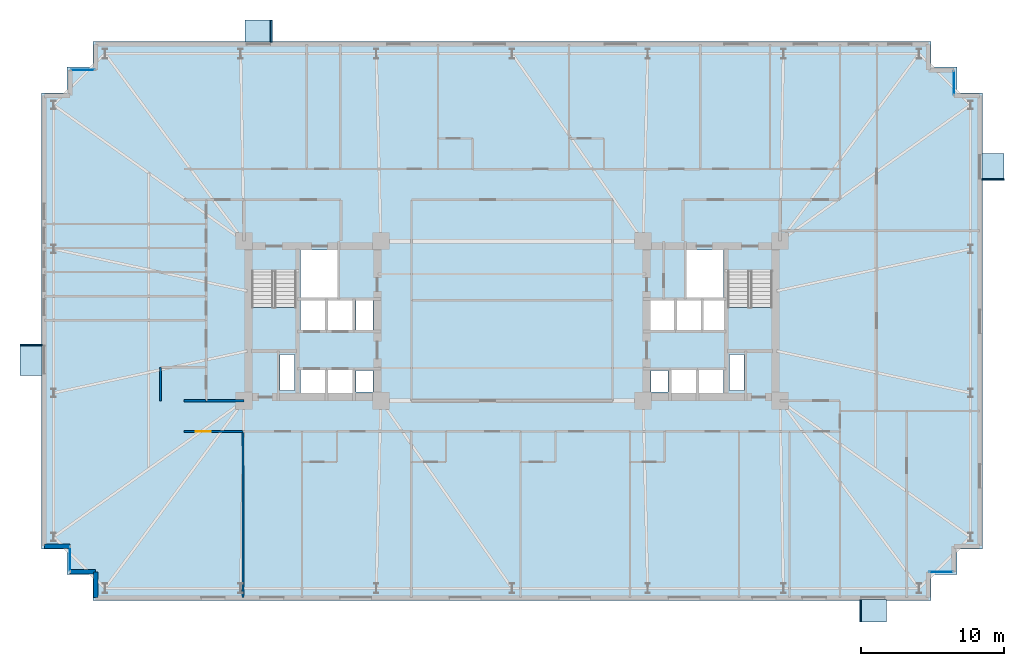
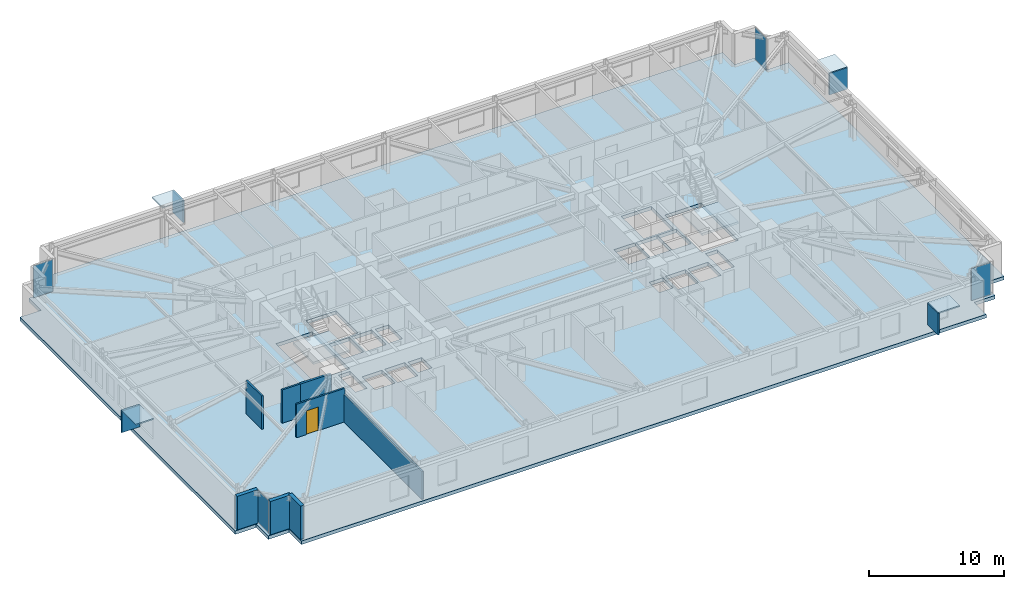
# One storey, part 13 of 21: 12 plates, 8 walls, 3 slabs, 1 door, 1 opening, 6 elements without a shape of their own.
"""IFC4 building model written with IfcOpenShell, lengths in metres."""

from ifc_helpers import new_model, si_unit, direction, frame, frame_2d, origin, origin_2d, place, context, subcontext, project, spatial, polyline, rectangle, outline, extrude, material, layer, layer_set, type_object, element, fill, aggregate, save


model = new_model("IFC4")

# Units and contexts
model_context = context("Model", 3, precision=1e-05, world=origin(), true_north=direction((0.0, 1.0)))
body_context = subcontext(model_context, "Body", "Model", "MODEL_VIEW")
ifc_project = project(units=[si_unit("LENGTHUNIT", "METRE"), si_unit("AREAUNIT", "SQUARE_METRE"), si_unit("VOLUMEUNIT", "CUBIC_METRE"), si_unit("PLANEANGLEUNIT", "RADIAN"), si_unit("MASSUNIT", "GRAM", prefix="KILO")], contexts=[model_context])

# Site, building, storey
site_placement = place(None, origin())
site = spatial("IfcSite", under=ifc_project, at=site_placement, CompositionType="ELEMENT")
building_placement = place(site_placement, origin())
building = spatial("IfcBuilding", under=site, at=building_placement, Name="Qobustan Lattice House", CompositionType="ELEMENT")
storey_placement = place(building_placement, frame((0.0, 0.0, 37.050048828125)))
storey = spatial("IfcBuildingStorey", under=building, at=storey_placement, Name="L09", CompositionType="ELEMENT", Elevation=37.050048828125)

# Curtain wall, plate
ifc_material_1 = material(Name="Anodised aluminium and low-E glazing", Category="aluminium")
ifc_layer_1 = layer(ifc_material_1, 0.219970703125)
ifc_layer_set_1 = layer_set([ifc_layer_1], Name="Anodised aluminium and low-E glazing")
curtain_wall_type = type_object("IfcCurtainWallType", Name="CW-FAC-01", PredefinedType="USERDEFINED", material=ifc_layer_set_1)
curtain_wall_1_placement = place(storey_placement, origin())
curtain_wall_1 = element("IfcCurtainWall", 1, at=curtain_wall_1_placement, inside=storey, type_object=curtain_wall_type, Name="L09 serrated corner faceted glazing 3", ObjectType="CURTAIN WALL", PredefinedType="USERDEFINED")
ifc_material_2 = material(Name="Clear low-E laminated glass", Category="glass")
ifc_layer_2 = layer(ifc_material_2, 0.031982421875)
ifc_layer_set_2 = layer_set([ifc_layer_2], Name="Clear low-E laminated glass")
plate_type_1 = type_object("IfcPlateType", Name="CWP-VISION-32", PredefinedType="CURTAIN_PANEL", material=ifc_layer_set_2)
plate_1_placement = place(storey_placement, frame((-31.0, -16.699951171875, 0.06494140625), z_axis=(0.0, 0.0, 1.0), x_axis=(0.0, 1.0, 0.0)))
plate_1 = element("IfcPlate", 2, at=plate_1_placement, type_object=plate_type_1, Name="CW-F1 panel 1.1", PredefinedType="CURTAIN_PANEL", context=body_context, shape_type="SweptSolid", body=[
    extrude(rectangle(XDim=1.659912109375, YDim=0.031982421875, at=origin_2d()), origin(), (0.0, 0.0, 1.0), 2.905029296875),
])
aggregate(curtain_wall_1, [plate_1])

curtain_wall_2_placement = place(storey_placement, origin())
curtain_wall_2 = element("IfcCurtainWall", 3, at=curtain_wall_2_placement, inside=storey, type_object=curtain_wall_type, Name="L09 serrated corner faceted glazing 8", ObjectType="CURTAIN WALL", PredefinedType="USERDEFINED")
plate_2_placement = place(storey_placement, frame((-30.10009765625, 17.60009765625, 0.06494140625), z_axis=(0.0, 0.0, 1.0), x_axis=(1.0, 0.0, 0.0)))
plate_2 = element("IfcPlate", 4, at=plate_2_placement, type_object=plate_type_1, Name="CW-F1 panel 1.1", PredefinedType="CURTAIN_PANEL", context=body_context, shape_type="SweptSolid", body=[
    extrude(rectangle(XDim=1.659912109375, YDim=0.031982421875, at=origin_2d()), origin(), (0.0, 0.0, 1.0), 2.905029296875),
])
aggregate(curtain_wall_2, [plate_2])

curtain_wall_3_placement = place(storey_placement, origin())
curtain_wall_3 = element("IfcCurtainWall", 5, at=curtain_wall_3_placement, inside=storey, type_object=curtain_wall_type, Name="L09 serrated corner faceted glazing 13", ObjectType="CURTAIN WALL", PredefinedType="USERDEFINED")
plate_3_placement = place(storey_placement, frame((31.0, 16.699951171875, 0.06494140625), z_axis=(0.0, 0.0, 1.0), x_axis=(0.0, -1.0, 0.0)))
plate_3 = element("IfcPlate", 6, at=plate_3_placement, type_object=plate_type_1, Name="CW-F1 panel 1.1", PredefinedType="CURTAIN_PANEL", context=body_context, shape_type="SweptSolid", body=[
    extrude(rectangle(XDim=1.659912109375, YDim=0.031982421875, at=origin_2d()), origin(), (0.0, 0.0, 1.0), 2.905029296875),
])
aggregate(curtain_wall_3, [plate_3])

curtain_wall_4_placement = place(storey_placement, origin())
curtain_wall_4 = element("IfcCurtainWall", 7, at=curtain_wall_4_placement, inside=storey, type_object=curtain_wall_type, Name="L09 serrated corner faceted glazing 18", ObjectType="CURTAIN WALL", PredefinedType="USERDEFINED")
plate_4_placement = place(storey_placement, frame((30.10009765625, -17.60009765625, 0.06494140625), z_axis=(0.0, 0.0, 1.0), x_axis=(-1.0, 0.0, 0.0)))
plate_4 = element("IfcPlate", 8, at=plate_4_placement, type_object=plate_type_1, Name="CW-F1 panel 1.1", PredefinedType="CURTAIN_PANEL", context=body_context, shape_type="SweptSolid", body=[
    extrude(rectangle(XDim=1.659912109375, YDim=0.031982421875, at=origin_2d()), origin(), (0.0, 0.0, 1.0), 2.905029296875),
])
aggregate(curtain_wall_4, [plate_4])

# Plates
ifc_material_3 = material(Name="Qobustan limestone GFRC", Category="masonry")
ifc_layer_3 = layer(ifc_material_3, 0.1201171875)
ifc_layer_set_3 = layer_set([ifc_layer_3], Name="Qobustan limestone GFRC")
plate_type_2 = type_object("IfcPlateType", Name="SHD-HOOD-BROW", PredefinedType="USERDEFINED", material=ifc_layer_set_3)
plate_5_placement = place(storey_placement, frame((-33.72998046875, -2.719970703125, 2.699951171875), z_axis=(0.0, 0.0, 1.0), x_axis=(0.0, 1.0, 0.0)))
element("IfcPlate", 9, at=plate_5_placement, inside=storey, type_object=plate_type_2, Name="L09 splayed Qobustan stone hood brow", ObjectType="SUNSHADE", PredefinedType="USERDEFINED", context=body_context, shape_type="SweptSolid", body=[
    extrude(rectangle(XDim=2.18994140625, YDim=1.56005859375, at=origin_2d()), origin(), (0.0, 0.0, 1.0), 0.1201171875),
])
plate_6_placement = place(storey_placement, frame((-33.72998046875, -1.68505859375, 0.7900390625), z_axis=(0.0, 0.0, 1.0), x_axis=(0.0, 1.0, 0.0)))
element("IfcPlate", 10, at=plate_6_placement, inside=storey, type_object=plate_type_2, Name="L09 splayed Qobustan stone hood cheek", ObjectType="SUNSHADE", PredefinedType="USERDEFINED", context=body_context, shape_type="SweptSolid", body=[
    extrude(rectangle(XDim=0.1201171875, YDim=1.56005859375, at=origin_2d()), origin(), (0.0, 0.0, 1.0), 1.969970703125),
])
plate_7_placement = place(storey_placement, frame((-17.778564453125, 20.330078125, 2.699951171875), z_axis=(0.0, 0.0, 1.0), x_axis=(1.0, 0.0, 0.0)))
element("IfcPlate", 11, at=plate_7_placement, inside=storey, type_object=plate_type_2, Name="L09 splayed Qobustan stone hood brow", ObjectType="SUNSHADE", PredefinedType="USERDEFINED", context=body_context, shape_type="SweptSolid", body=[
    extrude(rectangle(XDim=1.889892578125, YDim=1.56005859375, at=origin_2d()), origin(), (0.0, 0.0, 1.0), 0.1201171875),
])
plate_8_placement = place(storey_placement, frame((-16.8935546875, 20.330078125, 0.7900390625), z_axis=(0.0, 0.0, 1.0), x_axis=(1.0, 0.0, 0.0)))
element("IfcPlate", 12, at=plate_8_placement, inside=storey, type_object=plate_type_2, Name="L09 splayed Qobustan stone hood cheek", ObjectType="SUNSHADE", PredefinedType="USERDEFINED", context=body_context, shape_type="SweptSolid", body=[
    extrude(rectangle(XDim=0.1201171875, YDim=1.56005859375, at=origin_2d()), origin(), (0.0, 0.0, 1.0), 1.969970703125),
])
plate_9_placement = place(storey_placement, frame((33.72998046875, 10.800048828125, 2.699951171875), z_axis=(0.0, 0.0, 1.0), x_axis=(0.0, -1.0, 0.0)))
element("IfcPlate", 13, at=plate_9_placement, inside=storey, type_object=plate_type_2, Name="L09 splayed Qobustan stone hood brow", ObjectType="SUNSHADE", PredefinedType="USERDEFINED", context=body_context, shape_type="SweptSolid", body=[
    extrude(rectangle(XDim=1.889892578125, YDim=1.56005859375, at=origin_2d()), origin(), (0.0, 0.0, 1.0), 0.1201171875),
])
plate_10_placement = place(storey_placement, frame((33.72998046875, 9.9150390625, 0.7900390625), z_axis=(0.0, 0.0, 1.0), x_axis=(0.0, -1.0, 0.0)))
element("IfcPlate", 14, at=plate_10_placement, inside=storey, type_object=plate_type_2, Name="L09 splayed Qobustan stone hood cheek", ObjectType="SUNSHADE", PredefinedType="USERDEFINED", context=body_context, shape_type="SweptSolid", body=[
    extrude(rectangle(XDim=0.1201171875, YDim=1.56005859375, at=origin_2d()), origin(), (0.0, 0.0, 1.0), 1.969970703125),
])
plate_11_placement = place(storey_placement, frame((25.320068359375, -20.330078125, 2.699951171875), z_axis=(0.0, 0.0, 1.0), x_axis=(-1.0, 0.0, 0.0)))
element("IfcPlate", 15, at=plate_11_placement, inside=storey, type_object=plate_type_2, Name="L09 splayed Qobustan stone hood brow", ObjectType="SUNSHADE", PredefinedType="USERDEFINED", context=body_context, shape_type="SweptSolid", body=[
    extrude(rectangle(XDim=1.889892578125, YDim=1.56005859375, at=origin_2d()), origin(), (0.0, 0.0, 1.0), 0.1201171875),
])
plate_12_placement = place(storey_placement, frame((24.43505859375, -20.330078125, 0.7900390625), z_axis=(0.0, 0.0, 1.0), x_axis=(-1.0, 0.0, 0.0)))
element("IfcPlate", 16, at=plate_12_placement, inside=storey, type_object=plate_type_2, Name="L09 splayed Qobustan stone hood cheek", ObjectType="SUNSHADE", PredefinedType="USERDEFINED", context=body_context, shape_type="SweptSolid", body=[
    extrude(rectangle(XDim=0.1201171875, YDim=1.56005859375, at=origin_2d()), origin(), (0.0, 0.0, 1.0), 1.969970703125),
])

# Slab
ifc_material_4 = material(Name="Concrete C40/50", Category="concrete")
ifc_layer_4 = layer(ifc_material_4, 0.31494140625)
ifc_layer_set_4 = layer_set([ifc_layer_4], Name="Concrete C40/50")
slab_type_1 = type_object("IfcSlabType", Name="SLB-FLR-315", PredefinedType="FLOOR", material=ifc_layer_set_4)
slab_1_placement = place(storey_placement, frame((0.0, 0.0, -0.31494140625)))
element("IfcSlab", 17, at=slab_1_placement, inside=storey, type_object=slab_type_1, Name="L09 structural floor slab", PredefinedType="FLOOR", context=body_context, shape_type="SweptSolid", body=[
    extrude(outline(polyline([(-29.39990234375, -19.60009765625), (29.39990234375, -19.60009765625), (29.39990234375, -17.800048828125), (31.199951171875, -17.800048828125), (31.199951171875, -16.0), (33.0, -16.0), (33.0, 16.0), (31.199951171875, 16.0), (31.199951171875, 17.800048828125), (29.39990234375, 17.800048828125), (29.39990234375, 19.60009765625), (-29.39990234375, 19.60009765625), (-29.39990234375, 17.800048828125), (-31.199951171875, 17.800048828125), (-31.199951171875, 16.0), (-33.0, 16.0), (-33.0, -16.0), (-31.199951171875, -16.0), (-31.199951171875, -17.800048828125), (-29.39990234375, -17.800048828125), (-29.39990234375, -19.60009765625)]), holes=[polyline([(-18.25, -2.050048828125), (-18.25, 3.489990234375), (-15.1298828125, 3.489990234375), (-15.1298828125, -2.050048828125), (-18.25, -2.050048828125)]), polyline([(15.1298828125, -2.050048828125), (15.1298828125, 3.489990234375), (18.25, 3.489990234375), (18.25, -2.050048828125), (15.1298828125, -2.050048828125)]), polyline([(-14.820068359375, 1.64990234375), (-14.820068359375, 4.9599609375), (-12.25, 4.9599609375), (-12.25, 1.64990234375), (-14.820068359375, 1.64990234375)]), polyline([(12.25, 1.64990234375), (12.25, 4.9599609375), (14.820068359375, 4.9599609375), (14.820068359375, 1.64990234375), (12.25, 1.64990234375)]), polyline([(-16.260009765625, -4.8798828125), (-16.260009765625, -2.360107421875), (-15.260009765625, -2.360107421875), (-15.260009765625, -4.8798828125), (-16.260009765625, -4.8798828125)]), polyline([(15.260009765625, -4.8798828125), (15.260009765625, -2.360107421875), (16.260009765625, -2.360107421875), (16.260009765625, -4.8798828125), (15.260009765625, -4.8798828125)]), polyline([(-14.85009765625, -5.35009765625), (-14.85009765625, -3.419921875), (-13.1201171875, -3.419921875), (-13.1201171875, -5.35009765625), (-14.85009765625, -5.35009765625)]), polyline([(-12.919921875, -5.35009765625), (-12.919921875, -3.419921875), (-11.179931640625, -3.419921875), (-11.179931640625, -5.35009765625), (-12.919921875, -5.35009765625)]), polyline([(-14.85009765625, -0.679931640625), (-14.85009765625, 1.47998046875), (-13.1201171875, 1.47998046875), (-13.1201171875, -0.679931640625), (-14.85009765625, -0.679931640625)]), polyline([(-12.919921875, -0.679931640625), (-12.919921875, 1.47998046875), (-11.179931640625, 1.47998046875), (-11.179931640625, -0.679931640625), (-12.919921875, -0.679931640625)]), polyline([(-10.93994140625, -5.0), (-10.93994140625, -3.47998046875), (-9.760009765625, -3.47998046875), (-9.760009765625, -5.0), (-10.93994140625, -5.0)]), polyline([(-10.93994140625, -0.6201171875), (-10.93994140625, 1.419921875), (-9.760009765625, 1.419921875), (-9.760009765625, -0.6201171875), (-10.93994140625, -0.6201171875)]), polyline([(11.179931640625, -5.35009765625), (11.179931640625, -3.419921875), (12.919921875, -3.419921875), (12.919921875, -5.35009765625), (11.179931640625, -5.35009765625)]), polyline([(13.1201171875, -5.35009765625), (13.1201171875, -3.419921875), (14.85009765625, -3.419921875), (14.85009765625, -5.35009765625), (13.1201171875, -5.35009765625)]), polyline([(9.760009765625, -5.0), (9.760009765625, -3.47998046875), (10.93994140625, -3.47998046875), (10.93994140625, -5.0), (9.760009765625, -5.0)]), polyline([(13.360107421875, -0.679931640625), (13.360107421875, 1.47998046875), (14.97998046875, 1.47998046875), (14.97998046875, -0.679931640625), (13.360107421875, -0.679931640625)]), polyline([(9.6201171875, -0.679931640625), (9.6201171875, 1.47998046875), (11.43994140625, 1.47998046875), (11.43994140625, -0.679931640625), (9.6201171875, -0.679931640625)]), polyline([(11.5, -0.679931640625), (11.5, 1.47998046875), (13.320068359375, 1.47998046875), (13.320068359375, -0.679931640625), (11.5, -0.679931640625)])]), origin(), (0.0, 0.0, 1.0), 0.31494140625),
])

# Stair, slab
ifc_material_5 = material(Name="Concrete C40/50", Category="concrete")
stair_type = type_object("IfcStairType", Name="STR-CORE-DOGLEG", PredefinedType="HALF_TURN_STAIR", material=ifc_material_5)
stair_1_placement = place(storey_placement, origin())
stair_1 = element("IfcStair", 18, at=stair_1_placement, inside=storey, type_object=stair_type, Name="L09 West protected exit stair ST-W1", PredefinedType="HALF_TURN_STAIR")
ifc_material_6 = material(Name="Concrete C40/50", Category="concrete")
ifc_layer_5 = layer(ifc_material_6, 0.199951171875)
ifc_layer_set_5 = layer_set([ifc_layer_5], Name="Concrete C40/50")
slab_type_2 = type_object("IfcSlabType", Name="SLB-LANDING-200", PredefinedType="LANDING", material=ifc_layer_set_5)
slab_2_placement = place(storey_placement, frame((0.0, 0.0, 1.474853515625)))
slab_2 = element("IfcSlab", 19, at=slab_2_placement, type_object=slab_type_2, Name="ST-W1 landing 1", PredefinedType="LANDING", context=body_context, shape_type="SweptSolid", body=[
    extrude(outline(polyline([(-18.25, 0.93505859375), (-18.25, -2.050048828125), (-15.1298828125, -2.050048828125), (-15.1298828125, 0.93505859375), (-18.25, 0.93505859375)])), origin(), (0.0, 0.0, 1.0), 0.2001953125),
])
aggregate(stair_1, [slab_2])

stair_2_placement = place(storey_placement, origin())
stair_2 = element("IfcStair", 20, at=stair_2_placement, inside=storey, type_object=stair_type, Name="L09 East protected exit stair ST-E1", PredefinedType="HALF_TURN_STAIR")
slab_3_placement = place(storey_placement, frame((0.0, 0.0, 1.474853515625)))
slab_3 = element("IfcSlab", 21, at=slab_3_placement, type_object=slab_type_2, Name="ST-E1 landing 1", PredefinedType="LANDING", context=body_context, shape_type="SweptSolid", body=[
    extrude(outline(polyline([(15.1298828125, 0.93505859375), (15.1298828125, -2.050048828125), (18.25, -2.050048828125), (18.25, 0.93505859375), (15.1298828125, 0.93505859375)])), origin(), (0.0, 0.0, 1.0), 0.2001953125),
])
aggregate(stair_2, [slab_3])

# Walls
ifc_material_7 = material(Name="Precast concrete C40/50", Category="concrete")
ifc_layer_6 = layer(ifc_material_7, 0.320068359375)
ifc_layer_set_6 = layer_set([ifc_layer_6], Name="Precast concrete C40/50")
wall_type_1 = type_object("IfcWallType", Name="WAL-EXT-STONE-320", PredefinedType="SOLIDWALL", material=ifc_layer_set_6)
wall_1_placement = place(storey_placement, frame((-29.199951171875, -19.39990234375, 0.0), z_axis=(0.0, 0.0, 1.0), x_axis=(0.0, 1.0, 0.0)))
element("IfcWall", 22, at=wall_1_placement, inside=storey, type_object=wall_type_1, Name="L09 exterior limestone-clad wall 1", PredefinedType="SOLIDWALL", context=body_context, shape_type="SweptSolid", body=[
    extrude(rectangle(XDim=1.7998046875, YDim=0.320068359375, at=frame_2d((0.89990234375, 0.0))), origin(), (0.0, 0.0, 1.0), 3.034912109375),
])
for number, where, z_axis, x_axis, name in (
    (23, (-29.199951171875, -17.60009765625, 0.0), (0.0, 0.0, 1.0), (-1.0, 0.0, 0.0), "L09 exterior limestone-clad wall 2"),
    (24, (-31.0, -15.800048828125, 0.0), (0.0, 0.0, 1.0), (-1.0, 0.0, 0.0), "L09 exterior limestone-clad wall 4"),
):
    element("IfcWall", number, at=place(storey_placement, frame(where, z_axis=z_axis, x_axis=x_axis)), inside=storey, type_object=wall_type_1, Name=name, PredefinedType="SOLIDWALL", context=body_context, shape_type="SweptSolid", body=[
        extrude(rectangle(XDim=1.800048828125, YDim=0.320068359375, at=frame_2d((0.89990234375, 0.0))), origin(), (0.0, 0.0, 1.0), 3.034912109375),
    ])
ifc_material_8 = material(Name="Gypsum fireboard acoustic partition", Category="gypsum")
ifc_layer_7 = layer(ifc_material_8, 0.179931640625)
ifc_layer_set_7 = layer_set([ifc_layer_7], Name="Gypsum fireboard acoustic partition")
wall_type_2 = type_object("IfcWallType", Name="WAL-FIRE-180", PredefinedType="PARTITIONING", material=ifc_layer_set_7)
wall_2_placement = place(storey_placement, frame((-21.449951171875, -5.60009765625, 0.0), z_axis=(0.0, 0.0, 1.0), x_axis=(1.0, 0.0, 0.0)))
element("IfcWall", 25, at=wall_2_placement, inside=storey, type_object=wall_type_2, Name="L09 interior partition 53", PredefinedType="PARTITIONING", context=body_context, shape_type="SweptSolid", body=[
    extrude(rectangle(XDim=2.64990234375, YDim=0.179931640625, at=frame_2d((1.324951171875, 0.0))), origin(), (0.0, 0.0, 1.0), 3.034912109375),
])

# Wall, opening, door
ifc_material_9 = material(Name="Acoustic twin-stud gypsum partition", Category="gypsum")
ifc_layer_8 = layer(ifc_material_9, 0.14990234375)
ifc_layer_set_8 = layer_set([ifc_layer_8], Name="Acoustic twin-stud gypsum partition")
wall_type_3 = type_object("IfcWallType", Name="WAL-PART-150", PredefinedType="PARTITIONING", material=ifc_layer_set_8)
wall_3_placement = place(storey_placement, frame((-18.866455078125, -7.75, 0.0), z_axis=(0.0, 0.0, 1.0), x_axis=(-1.0, 0.0, 0.0)))
wall_3 = element("IfcWall", 26, at=wall_3_placement, inside=storey, type_object=wall_type_3, Name="L09 interior partition 55", PredefinedType="PARTITIONING", context=body_context, shape_type="SweptSolid", body=[
    extrude(rectangle(XDim=4.133544921875, YDim=0.14990234375, at=frame_2d((2.06689453125, 0.0))), origin(), (0.0, 0.0, 1.0), 3.034912109375),
])
opening_placement = place(wall_3_placement, frame((2.26318359375, 0.0, 0.0)))
opening = element("IfcOpeningElement", 27, at=opening_placement, cuts=wall_3, Name="Opening ID-02", PredefinedType="OPENING", context=body_context, shape_type="SweptSolid", body=[
    extrude(rectangle(XDim=1.050048828125, YDim=2.14990234375, at=frame_2d((0.52490234375, 1.074951171875))), frame((0.0, 0.0849609375, 0.0), z_axis=(0.0, -1.0, 0.0), x_axis=(1.0, 0.0, 0.0)), (0.0, 0.0, 1.0), 0.169921875),
])
ifc_material_10 = material(Name="Persian walnut timber and steel frame door", Category="steel")
door_type = type_object("IfcDoorType", Name="DOR-STUDY-1050x2150", OperationType="NOTDEFINED", PredefinedType="DOOR", material=ifc_material_10)
door_placement = place(opening_placement, origin())
door = element("IfcDoor", 28, at=door_placement, inside=storey, type_object=door_type, Name="L09 South-west floor corridor to Focus study room S1A door", OperationType="SINGLE_SWING_RIGHT", OverallHeight=2.14990234375, OverallWidth=1.050048828125, PredefinedType="DOOR", context=body_context, shape_type="SweptSolid", body=[
    extrude(rectangle(XDim=1.050048828125, YDim=2.14990234375, at=frame_2d((0.52490234375, 1.074951171875))), frame((0.0, 0.02490234375, 0.0), z_axis=(0.0, -1.0, 0.0), x_axis=(1.0, 0.0, 0.0)), (0.0, 0.0, 1.0), 0.050048828125),
])
fill(opening, door)

# Walls
wall_4_placement = place(storey_placement, frame((-18.866455078125, -7.75, 0.0), z_axis=(0.0, 0.0, 1.0), x_axis=(0.0, -1.0, 0.0)))
element("IfcWall", 29, at=wall_4_placement, inside=storey, type_object=wall_type_3, Name="L09 interior partition 113", PredefinedType="PARTITIONING", context=body_context, shape_type="SweptSolid", body=[
    extrude(rectangle(XDim=11.64990234375, YDim=0.14990234375, at=frame_2d((5.824951171875, 0.0))), origin(), (0.0, 0.0, 1.0), 2.52001953125),
])
ifc_material_11 = material(Name="Moisture-resistant acoustic plumbing wall", Category="gypsum")
ifc_layer_9 = layer(ifc_material_11, 0.14990234375)
ifc_layer_set_9 = layer_set([ifc_layer_9], Name="Moisture-resistant acoustic plumbing wall")
wall_type_4 = type_object("IfcWallType", Name="WAL-WET-150", PredefinedType="PLUMBINGWALL", material=ifc_layer_set_9)
wall_5_placement = place(storey_placement, frame((-23.0, -5.60009765625, 0.0), z_axis=(0.0, 0.0, 1.0), x_axis=(1.0, 0.0, 0.0)))
element("IfcWall", 30, at=wall_5_placement, inside=storey, type_object=wall_type_4, Name="L09 interior partition 54", PredefinedType="PLUMBINGWALL", context=body_context, shape_type="SweptSolid", body=[
    extrude(rectangle(XDim=1.550048828125, YDim=0.14990234375, at=frame_2d((0.77490234375, 0.0))), origin(), (0.0, 0.0, 1.0), 3.034912109375),
])
wall_6_placement = place(storey_placement, frame((-24.64990234375, -5.60009765625, 0.0), z_axis=(0.0, 0.0, 1.0), x_axis=(0.0, 1.0, 0.0)))
element("IfcWall", 31, at=wall_6_placement, inside=storey, type_object=wall_type_4, Name="L09 interior partition 85", PredefinedType="PLUMBINGWALL", context=body_context, shape_type="SweptSolid", body=[
    extrude(rectangle(XDim=2.35009765625, YDim=0.14990234375, at=frame_2d((1.175048828125, 0.0))), origin(), (0.0, 0.0, 1.0), 3.034912109375),
])

save(model, "model.ifc")
